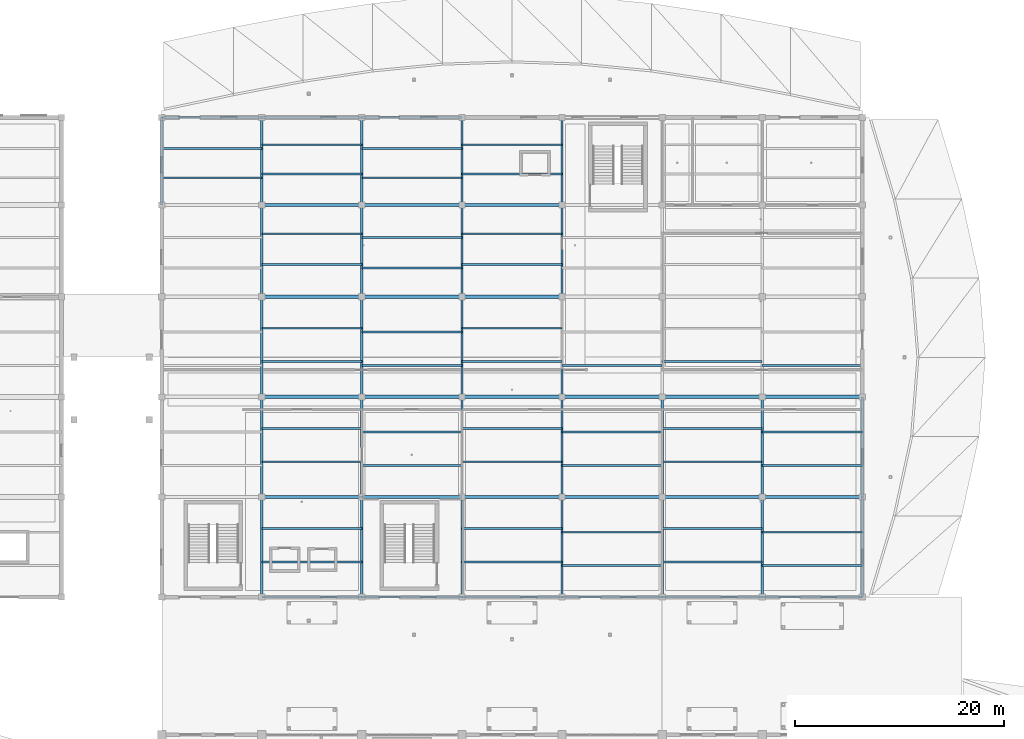
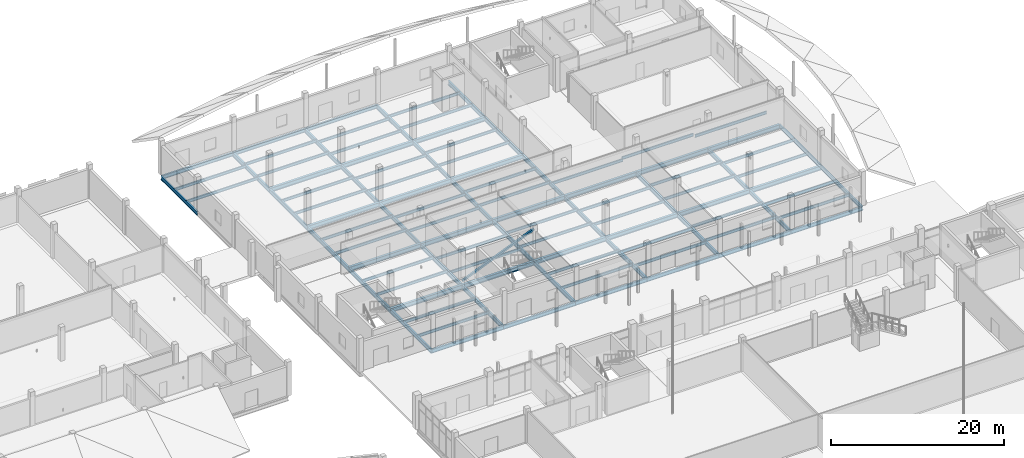
# One storey, part 56 of 116: 99 beams, 1 member.
"""IFC4 building model written with IfcOpenShell, lengths in metres."""

from ifc_helpers import new_model, si_unit, direction, frame, origin, origin_2d, place, context, subcontext, project, spatial, hollow_rectangle, i_section, extrude, material, material_profile, profile_set, type_object, element, save


model = new_model("IFC4")

# Units and contexts
model_context = context("Model", 3, precision=1e-05, world=origin(), true_north=direction((0.0, 1.0)))
body_context = subcontext(model_context, "Body", "Model", "MODEL_VIEW")
ifc_project = project(units=[si_unit("LENGTHUNIT", "METRE"), si_unit("AREAUNIT", "SQUARE_METRE"), si_unit("VOLUMEUNIT", "CUBIC_METRE"), si_unit("PLANEANGLEUNIT", "RADIAN"), si_unit("MASSUNIT", "GRAM", prefix="KILO")], contexts=[model_context])

# Site, building, storey
site_placement = place(None, origin())
site = spatial("IfcSite", under=ifc_project, at=site_placement, CompositionType="ELEMENT")
building_placement = place(site_placement, origin())
building = spatial("IfcBuilding", under=site, at=building_placement, Name="Chalmorin Arch Market", CompositionType="ELEMENT")
storey_placement = place(building_placement, origin())
storey = spatial("IfcBuildingStorey", under=building, at=storey_placement, Name="L00", CompositionType="ELEMENT", Elevation=0.0)

# Member
ifc_material_1 = material(Name="Steel A500 Grade C", Category="steel")
ifc_material_profile_1 = material_profile(ifc_material_1, hollow_rectangle(XDim=0.25390625, YDim=0.25390625, WallThickness=0.01171875, at=origin_2d()), Name="HSS10X10X1/2")
ifc_profile_set_1 = profile_set([ifc_material_profile_1], Name="Steel A500 Grade C")
member_type = type_object("IfcMemberType", Name="LateralTubeBrace-HSS10X10", PredefinedType="BRACE", material=ifc_profile_set_1)
member_placement = place(storey_placement, frame((67.199951171875, 81.60009765625, 0.14990234375), z_axis=(0.923078312116, 0.0, 0.384612050905), x_axis=(0.0, 1.0, 0.0)))
element("IfcMember", 1, at=member_placement, inside=storey, type_object=member_type, Name="BR-HS10-0342", ObjectType="Diagonal brace", PredefinedType="BRACE", context=body_context, shape_type="SweptSolid", body=[
    extrude(hollow_rectangle(XDim=0.25390625, YDim=0.25390625, WallThickness=0.01171875, at=origin_2d()), origin(), (0.0, 0.0, 1.0), 10.400146484375),
])

# Beams
ifc_material_2 = material(Name="Steel A992 Grade 50", Category="steel")
ifc_material_profile_2 = material_profile(ifc_material_2, i_section(OverallWidth=0.208984375, OverallDepth=0.532958984375, WebThickness=0.01025390625, FlangeThickness=0.015625, FilletRadius=0.02197265625, at=origin_2d()), Name="W21X62")
ifc_profile_set_2 = profile_set([ifc_material_profile_2], Name="Steel A992 Grade 50")
beam_type_1 = type_object("IfcBeamType", Name="PerimeterSpandrelBeam-W21X62", PredefinedType="SPANDREL", material=ifc_profile_set_2)
beam_1_placement = place(storey_placement, frame((48.0, 118.0, -0.58837890625), z_axis=(1.0, 0.0, 0.0), x_axis=(0.0, 1.0, 0.0)))
element("IfcBeam", 2, at=beam_1_placement, inside=storey, type_object=beam_type_1, Name="SP-W21-0388", PredefinedType="SPANDREL", context=body_context, shape_type="SweptSolid", body=[
    extrude(i_section(OverallWidth=0.208984375, OverallDepth=0.532958984375, WebThickness=0.01025390625, FlangeThickness=0.015625, FilletRadius=0.02197265625, at=origin_2d()), origin(), (0.0, 0.0, 1.0), 9.60009765625),
])
beam_2_placement = place(storey_placement, frame((48.0, 109.60009765625, -0.58837890625), z_axis=(0.0, 1.0, 0.0), x_axis=(-1.0, 0.0, 0.0)))
element("IfcBeam", 3, at=beam_2_placement, inside=storey, type_object=beam_type_1, Name="SP-W21-0389", PredefinedType="SPANDREL", context=body_context, shape_type="SweptSolid", body=[
    extrude(i_section(OverallWidth=0.208984375, OverallDepth=0.532958984375, WebThickness=0.01025390625, FlangeThickness=0.015625, FilletRadius=0.02197265625, at=origin_2d()), origin(), (0.0, 0.0, 1.0), 8.39990234375),
])
for number, where, z_axis, x_axis, name in (
    (4, (57.60009765625, 72.0, -0.58837890625), (1.0, 0.0, 0.0), (0.0, 1.0, 0.0), "SP-W21-0391"),
    (5, (57.60009765625, 118.0, -0.58837890625), (1.0, 0.0, 0.0), (0.0, 1.0, 0.0), "SP-W21-0400"),
):
    element("IfcBeam", number, at=place(storey_placement, frame(where, z_axis=z_axis, x_axis=x_axis)), inside=storey, type_object=beam_type_1, Name=name, PredefinedType="SPANDREL", context=body_context, shape_type="SweptSolid", body=[
        extrude(i_section(OverallWidth=0.208984375, OverallDepth=0.532958984375, WebThickness=0.01025390625, FlangeThickness=0.015625, FilletRadius=0.02197265625, at=origin_2d()), origin(), (0.0, 0.0, 1.0), 9.599853515625),
    ])
for number, where, z_axis, x_axis, name in (
    (6, (67.199951171875, 72.0, -0.58837890625), (1.0, 0.0, 0.0), (0.0, 1.0, 0.0), "SP-W21-0402"),
    (7, (67.199951171875, 118.0, -0.58837890625), (1.0, 0.0, 0.0), (0.0, 1.0, 0.0), "SP-W21-0411"),
):
    element("IfcBeam", number, at=place(storey_placement, frame(where, z_axis=z_axis, x_axis=x_axis)), inside=storey, type_object=beam_type_1, Name=name, PredefinedType="SPANDREL", context=body_context, shape_type="SweptSolid", body=[
        extrude(i_section(OverallWidth=0.208984375, OverallDepth=0.532958984375, WebThickness=0.01025390625, FlangeThickness=0.015625, FilletRadius=0.02197265625, at=origin_2d()), origin(), (0.0, 0.0, 1.0), 9.60009765625),
    ])
beam_3_placement = place(storey_placement, frame((76.800048828125, 72.0, -0.568603515625), z_axis=(1.0, 0.0, 0.0), x_axis=(0.0, 1.0, 0.0)))
element("IfcBeam", 8, at=beam_3_placement, inside=storey, type_object=beam_type_1, Name="SP-W21-0413", PredefinedType="SPANDREL", context=body_context, shape_type="SweptSolid", body=[
    extrude(i_section(OverallWidth=0.208984375, OverallDepth=0.532958984375, WebThickness=0.01025390625, FlangeThickness=0.015625, FilletRadius=0.02197265625, at=origin_2d()), origin(), (0.0, 0.0, 1.0), 9.599853515625),
])
for number, where, z_axis, x_axis, name in (
    (9, (86.39990234375, 72.0, -0.568603515625), (1.0, 0.0, 0.0), (0.0, 1.0, 0.0), "SP-W21-0424"),
    (10, (96.0, 72.0, -0.568603515625), (1.0, 0.0, 0.0), (0.0, 1.0, 0.0), "SP-W21-0435"),
):
    element("IfcBeam", number, at=place(storey_placement, frame(where, z_axis=z_axis, x_axis=x_axis)), inside=storey, type_object=beam_type_1, Name=name, PredefinedType="SPANDREL", context=body_context, shape_type="SweptSolid", body=[
        extrude(i_section(OverallWidth=0.208984375, OverallDepth=0.532958984375, WebThickness=0.01025390625, FlangeThickness=0.015625, FilletRadius=0.02197265625, at=origin_2d()), origin(), (0.0, 0.0, 1.0), 9.60009765625),
    ])
beam_4_placement = place(storey_placement, frame((105.60009765625, 72.0, -0.568603515625), z_axis=(1.0, 0.0, 0.0), x_axis=(0.0, 1.0, 0.0)))
element("IfcBeam", 11, at=beam_4_placement, inside=storey, type_object=beam_type_1, Name="SP-W21-0446", PredefinedType="SPANDREL", context=body_context, shape_type="SweptSolid", body=[
    extrude(i_section(OverallWidth=0.208984375, OverallDepth=0.532958984375, WebThickness=0.01025390625, FlangeThickness=0.015625, FilletRadius=0.02197265625, at=origin_2d()), origin(), (0.0, 0.0, 1.0), 9.599853515625),
])
beam_5_placement = place(storey_placement, frame((115.199951171875, 72.0, -0.568603515625), z_axis=(0.0, 1.0, 0.0), x_axis=(-1.0, 0.0, 0.0)))
element("IfcBeam", 12, at=beam_5_placement, inside=storey, type_object=beam_type_1, Name="SP-W21-0448", PredefinedType="SPANDREL", context=body_context, shape_type="SweptSolid", body=[
    extrude(i_section(OverallWidth=0.208984375, OverallDepth=0.532958984375, WebThickness=0.01025390625, FlangeThickness=0.015625, FilletRadius=0.02197265625, at=origin_2d()), origin(), (0.0, 0.0, 1.0), 9.60009765625),
])
beam_6_placement = place(storey_placement, frame((115.199951171875, 81.60009765625, -0.548583984375), z_axis=(0.0, 1.0, 0.0), x_axis=(-1.0, 0.0, 0.0)))
element("IfcBeam", 13, at=beam_6_placement, inside=storey, type_object=beam_type_1, Name="SP-W21-0450", PredefinedType="SPANDREL", context=body_context, shape_type="SweptSolid", body=[
    extrude(i_section(OverallWidth=0.208984375, OverallDepth=0.532958984375, WebThickness=0.01025390625, FlangeThickness=0.015625, FilletRadius=0.02197265625, at=origin_2d()), origin(), (0.0, 0.0, 1.0), 9.599853515625),
])
ifc_material_profile_3 = material_profile(ifc_material_2, i_section(OverallWidth=0.323974609375, OverallDepth=0.611083984375, WebThickness=0.0126953125, FlangeThickness=0.01904296875, FilletRadius=0.02392578125, at=origin_2d()), Name="W24X104")
ifc_profile_set_3 = profile_set([ifc_material_profile_3], Name="Steel A992 Grade 50")
beam_type_2 = type_object("IfcBeamType", Name="PrimarySteelGirder-W24X104", PredefinedType="BEAM", material=ifc_profile_set_3)
for number, where, z_axis, x_axis, name in (
    (14, (57.60009765625, 81.60009765625, -0.62744140625), (1.0, 0.0, 0.0), (0.0, 1.0, 0.0), "BG-W24A-0392"),
    (15, (57.60009765625, 91.199951171875, -0.62744140625), (1.0, 0.0, 0.0), (0.0, 1.0, 0.0), "BG-W24A-0394"),
    (16, (57.60009765625, 100.800048828125, -0.62744140625), (1.0, 0.0, 0.0), (0.0, 1.0, 0.0), "BG-W24A-0396"),
    (17, (57.60009765625, 109.60009765625, -0.62744140625), (1.0, 0.0, 0.0), (0.0, 1.0, 0.0), "BG-W24A-0398"),
):
    element("IfcBeam", number, at=place(storey_placement, frame(where, z_axis=z_axis, x_axis=x_axis)), inside=storey, type_object=beam_type_2, Name=name, PredefinedType="BEAM", context=body_context, shape_type="SweptSolid", body=[
        extrude(i_section(OverallWidth=0.323974609375, OverallDepth=0.611083984375, WebThickness=0.0126953125, FlangeThickness=0.01904296875, FilletRadius=0.02392578125, at=origin_2d()), origin(), (0.0, 0.0, 1.0), 9.599853515625),
    ])
for number, where, z_axis, x_axis, name in (
    (18, (67.199951171875, 81.60009765625, -0.62744140625), (1.0, 0.0, 0.0), (0.0, 1.0, 0.0), "BG-W24A-0403"),
    (19, (67.199951171875, 91.199951171875, -0.62744140625), (1.0, 0.0, 0.0), (0.0, 1.0, 0.0), "BG-W24A-0405"),
    (20, (67.199951171875, 100.800048828125, -0.62744140625), (1.0, 0.0, 0.0), (0.0, 1.0, 0.0), "BG-W24A-0407"),
    (21, (67.199951171875, 109.60009765625, -0.62744140625), (1.0, 0.0, 0.0), (0.0, 1.0, 0.0), "BG-W24A-0409"),
):
    element("IfcBeam", number, at=place(storey_placement, frame(where, z_axis=z_axis, x_axis=x_axis)), inside=storey, type_object=beam_type_2, Name=name, PredefinedType="BEAM", context=body_context, shape_type="SweptSolid", body=[
        extrude(i_section(OverallWidth=0.323974609375, OverallDepth=0.611083984375, WebThickness=0.0126953125, FlangeThickness=0.01904296875, FilletRadius=0.02392578125, at=origin_2d()), origin(), (0.0, 0.0, 1.0), 9.60009765625),
    ])
for number, where, z_axis, x_axis, name in (
    (22, (76.800048828125, 81.60009765625, -0.58740234375), (1.0, 0.0, 0.0), (0.0, 1.0, 0.0), "BG-W24A-0414"),
    (23, (76.800048828125, 91.199951171875, -0.58740234375), (1.0, 0.0, 0.0), (0.0, 1.0, 0.0), "BG-W24A-0416"),
    (24, (76.800048828125, 100.800048828125, -0.58740234375), (1.0, 0.0, 0.0), (0.0, 1.0, 0.0), "BG-W24A-0418"),
    (25, (76.800048828125, 109.60009765625, -0.58740234375), (1.0, 0.0, 0.0), (0.0, 1.0, 0.0), "BG-W24A-0420"),
):
    element("IfcBeam", number, at=place(storey_placement, frame(where, z_axis=z_axis, x_axis=x_axis)), inside=storey, type_object=beam_type_2, Name=name, PredefinedType="BEAM", context=body_context, shape_type="SweptSolid", body=[
        extrude(i_section(OverallWidth=0.323974609375, OverallDepth=0.611083984375, WebThickness=0.0126953125, FlangeThickness=0.01904296875, FilletRadius=0.02392578125, at=origin_2d()), origin(), (0.0, 0.0, 1.0), 9.599853515625),
    ])
for number, where, z_axis, x_axis, name in (
    (26, (86.39990234375, 81.60009765625, -0.58740234375), (1.0, 0.0, 0.0), (0.0, 1.0, 0.0), "BG-W24A-0425"),
    (27, (86.39990234375, 91.199951171875, -0.58740234375), (1.0, 0.0, 0.0), (0.0, 1.0, 0.0), "BG-W24A-0427"),
    (28, (96.0, 81.60009765625, -0.58740234375), (1.0, 0.0, 0.0), (0.0, 1.0, 0.0), "BG-W24A-0436"),
    (29, (96.0, 91.199951171875, -0.58740234375), (1.0, 0.0, 0.0), (0.0, 1.0, 0.0), "BG-W24A-0438"),
):
    element("IfcBeam", number, at=place(storey_placement, frame(where, z_axis=z_axis, x_axis=x_axis)), inside=storey, type_object=beam_type_2, Name=name, PredefinedType="BEAM", context=body_context, shape_type="SweptSolid", body=[
        extrude(i_section(OverallWidth=0.323974609375, OverallDepth=0.611083984375, WebThickness=0.0126953125, FlangeThickness=0.01904296875, FilletRadius=0.02392578125, at=origin_2d()), origin(), (0.0, 0.0, 1.0), 9.60009765625),
    ])
for number, where, z_axis, x_axis, name in (
    (30, (105.60009765625, 81.60009765625, -0.58740234375), (1.0, 0.0, 0.0), (0.0, 1.0, 0.0), "BG-W24A-0447"),
    (31, (105.60009765625, 91.199951171875, -0.58740234375), (1.0, 0.0, 0.0), (0.0, 1.0, 0.0), "BG-W24A-0449"),
):
    element("IfcBeam", number, at=place(storey_placement, frame(where, z_axis=z_axis, x_axis=x_axis)), inside=storey, type_object=beam_type_2, Name=name, PredefinedType="BEAM", context=body_context, shape_type="SweptSolid", body=[
        extrude(i_section(OverallWidth=0.323974609375, OverallDepth=0.611083984375, WebThickness=0.0126953125, FlangeThickness=0.01904296875, FilletRadius=0.02392578125, at=origin_2d()), origin(), (0.0, 0.0, 1.0), 9.599853515625),
    ])
ifc_material_profile_4 = material_profile(ifc_material_2, i_section(OverallWidth=0.22802734375, OverallDepth=0.60791015625, WebThickness=0.01123046875, FlangeThickness=0.017333984375, FilletRadius=0.02392578125, at=origin_2d()), Name="W24X76")
ifc_profile_set_4 = profile_set([ifc_material_profile_4], Name="Steel A992 Grade 50")
beam_type_3 = type_object("IfcBeamType", Name="PrimarySteelGirder-W24X76", PredefinedType="BEAM", material=ifc_profile_set_4)
beam_7_placement = place(storey_placement, frame((57.60009765625, 72.0, -0.6259765625), z_axis=(0.0, 1.0, 0.0), x_axis=(-1.0, 0.0, 0.0)))
element("IfcBeam", 32, at=beam_7_placement, inside=storey, type_object=beam_type_3, Name="BG-W24B-0378", PredefinedType="BEAM", context=body_context, shape_type="SweptSolid", body=[
    extrude(i_section(OverallWidth=0.22802734375, OverallDepth=0.60791015625, WebThickness=0.01123046875, FlangeThickness=0.017333984375, FilletRadius=0.02392578125, at=origin_2d()), origin(), (0.0, 0.0, 1.0), 9.60009765625),
])
beam_8_placement = place(storey_placement, frame((57.60009765625, 81.60009765625, -0.6259765625), z_axis=(0.0, 1.0, 0.0), x_axis=(-1.0, 0.0, 0.0)))
element("IfcBeam", 33, at=beam_8_placement, inside=storey, type_object=beam_type_3, Name="BG-W24B-0381", PredefinedType="BEAM", context=body_context, shape_type="SweptSolid", body=[
    extrude(i_section(OverallWidth=0.22802734375, OverallDepth=0.60791015625, WebThickness=0.01123046875, FlangeThickness=0.017333984375, FilletRadius=0.02392578125, at=origin_2d()), origin(), (0.0, 0.0, 1.0), 9.599853515625),
])
beam_9_placement = place(storey_placement, frame((57.60009765625, 91.199951171875, -0.6259765625), z_axis=(0.0, 1.0, 0.0), x_axis=(-1.0, 0.0, 0.0)))
element("IfcBeam", 34, at=beam_9_placement, inside=storey, type_object=beam_type_3, Name="BG-W24B-0384", PredefinedType="BEAM", context=body_context, shape_type="SweptSolid", body=[
    extrude(i_section(OverallWidth=0.22802734375, OverallDepth=0.60791015625, WebThickness=0.01123046875, FlangeThickness=0.017333984375, FilletRadius=0.02392578125, at=origin_2d()), origin(), (0.0, 0.0, 1.0), 9.60009765625),
])
beam_10_placement = place(storey_placement, frame((57.60009765625, 100.800048828125, -0.6259765625), z_axis=(0.0, 1.0, 0.0), x_axis=(-1.0, 0.0, 0.0)))
element("IfcBeam", 35, at=beam_10_placement, inside=storey, type_object=beam_type_3, Name="BG-W24B-0387", PredefinedType="BEAM", context=body_context, shape_type="SweptSolid", body=[
    extrude(i_section(OverallWidth=0.22802734375, OverallDepth=0.60791015625, WebThickness=0.01123046875, FlangeThickness=0.017333984375, FilletRadius=0.02392578125, at=origin_2d()), origin(), (0.0, 0.0, 1.0), 8.800048828125),
])
beam_11_placement = place(storey_placement, frame((57.60009765625, 109.60009765625, -0.6259765625), z_axis=(0.0, 1.0, 0.0), x_axis=(-1.0, 0.0, 0.0)))
element("IfcBeam", 36, at=beam_11_placement, inside=storey, type_object=beam_type_3, Name="BG-W24B-0390", PredefinedType="BEAM", context=body_context, shape_type="SweptSolid", body=[
    extrude(i_section(OverallWidth=0.22802734375, OverallDepth=0.60791015625, WebThickness=0.01123046875, FlangeThickness=0.017333984375, FilletRadius=0.02392578125, at=origin_2d()), origin(), (0.0, 0.0, 1.0), 8.39990234375),
])
beam_12_placement = place(storey_placement, frame((67.199951171875, 72.0, -0.6259765625), z_axis=(0.0, 1.0, 0.0), x_axis=(-1.0, 0.0, 0.0)))
element("IfcBeam", 37, at=beam_12_placement, inside=storey, type_object=beam_type_3, Name="BG-W24B-0393", PredefinedType="BEAM", context=body_context, shape_type="SweptSolid", body=[
    extrude(i_section(OverallWidth=0.22802734375, OverallDepth=0.60791015625, WebThickness=0.01123046875, FlangeThickness=0.017333984375, FilletRadius=0.02392578125, at=origin_2d()), origin(), (0.0, 0.0, 1.0), 9.60009765625),
])
beam_13_placement = place(storey_placement, frame((67.199951171875, 81.60009765625, -0.6259765625), z_axis=(0.0, 1.0, 0.0), x_axis=(-1.0, 0.0, 0.0)))
element("IfcBeam", 38, at=beam_13_placement, inside=storey, type_object=beam_type_3, Name="BG-W24B-0395", PredefinedType="BEAM", context=body_context, shape_type="SweptSolid", body=[
    extrude(i_section(OverallWidth=0.22802734375, OverallDepth=0.60791015625, WebThickness=0.01123046875, FlangeThickness=0.017333984375, FilletRadius=0.02392578125, at=origin_2d()), origin(), (0.0, 0.0, 1.0), 9.599853515625),
])
beam_14_placement = place(storey_placement, frame((67.199951171875, 91.199951171875, -0.6259765625), z_axis=(0.0, 1.0, 0.0), x_axis=(-1.0, 0.0, 0.0)))
element("IfcBeam", 39, at=beam_14_placement, inside=storey, type_object=beam_type_3, Name="BG-W24B-0397", PredefinedType="BEAM", context=body_context, shape_type="SweptSolid", body=[
    extrude(i_section(OverallWidth=0.22802734375, OverallDepth=0.60791015625, WebThickness=0.01123046875, FlangeThickness=0.017333984375, FilletRadius=0.02392578125, at=origin_2d()), origin(), (0.0, 0.0, 1.0), 9.60009765625),
])
beam_15_placement = place(storey_placement, frame((67.199951171875, 100.800048828125, -0.6259765625), z_axis=(0.0, 1.0, 0.0), x_axis=(-1.0, 0.0, 0.0)))
element("IfcBeam", 40, at=beam_15_placement, inside=storey, type_object=beam_type_3, Name="BG-W24B-0399", PredefinedType="BEAM", context=body_context, shape_type="SweptSolid", body=[
    extrude(i_section(OverallWidth=0.22802734375, OverallDepth=0.60791015625, WebThickness=0.01123046875, FlangeThickness=0.017333984375, FilletRadius=0.02392578125, at=origin_2d()), origin(), (0.0, 0.0, 1.0), 8.800048828125),
])
beam_16_placement = place(storey_placement, frame((67.199951171875, 109.60009765625, -0.6259765625), z_axis=(0.0, 1.0, 0.0), x_axis=(-1.0, 0.0, 0.0)))
element("IfcBeam", 41, at=beam_16_placement, inside=storey, type_object=beam_type_3, Name="BG-W24B-0401", PredefinedType="BEAM", context=body_context, shape_type="SweptSolid", body=[
    extrude(i_section(OverallWidth=0.22802734375, OverallDepth=0.60791015625, WebThickness=0.01123046875, FlangeThickness=0.017333984375, FilletRadius=0.02392578125, at=origin_2d()), origin(), (0.0, 0.0, 1.0), 8.39990234375),
])
beam_17_placement = place(storey_placement, frame((76.800048828125, 72.0, -0.60595703125), z_axis=(0.0, 1.0, 0.0), x_axis=(-1.0, 0.0, 0.0)))
element("IfcBeam", 42, at=beam_17_placement, inside=storey, type_object=beam_type_3, Name="BG-W24B-0404", PredefinedType="BEAM", context=body_context, shape_type="SweptSolid", body=[
    extrude(i_section(OverallWidth=0.22802734375, OverallDepth=0.60791015625, WebThickness=0.01123046875, FlangeThickness=0.017333984375, FilletRadius=0.02392578125, at=origin_2d()), origin(), (0.0, 0.0, 1.0), 9.60009765625),
])
beam_18_placement = place(storey_placement, frame((76.800048828125, 81.60009765625, -0.5859375), z_axis=(0.0, 1.0, 0.0), x_axis=(-1.0, 0.0, 0.0)))
element("IfcBeam", 43, at=beam_18_placement, inside=storey, type_object=beam_type_3, Name="BG-W24B-0406", PredefinedType="BEAM", context=body_context, shape_type="SweptSolid", body=[
    extrude(i_section(OverallWidth=0.22802734375, OverallDepth=0.60791015625, WebThickness=0.01123046875, FlangeThickness=0.017333984375, FilletRadius=0.02392578125, at=origin_2d()), origin(), (0.0, 0.0, 1.0), 9.599853515625),
])
beam_19_placement = place(storey_placement, frame((76.800048828125, 91.199951171875, -0.5859375), z_axis=(0.0, 1.0, 0.0), x_axis=(-1.0, 0.0, 0.0)))
element("IfcBeam", 44, at=beam_19_placement, inside=storey, type_object=beam_type_3, Name="BG-W24B-0408", PredefinedType="BEAM", context=body_context, shape_type="SweptSolid", body=[
    extrude(i_section(OverallWidth=0.22802734375, OverallDepth=0.60791015625, WebThickness=0.01123046875, FlangeThickness=0.017333984375, FilletRadius=0.02392578125, at=origin_2d()), origin(), (0.0, 0.0, 1.0), 9.60009765625),
])
beam_20_placement = place(storey_placement, frame((76.800048828125, 100.800048828125, -0.5859375), z_axis=(0.0, 1.0, 0.0), x_axis=(-1.0, 0.0, 0.0)))
element("IfcBeam", 45, at=beam_20_placement, inside=storey, type_object=beam_type_3, Name="BG-W24B-0410", PredefinedType="BEAM", context=body_context, shape_type="SweptSolid", body=[
    extrude(i_section(OverallWidth=0.22802734375, OverallDepth=0.60791015625, WebThickness=0.01123046875, FlangeThickness=0.017333984375, FilletRadius=0.02392578125, at=origin_2d()), origin(), (0.0, 0.0, 1.0), 8.800048828125),
])
beam_21_placement = place(storey_placement, frame((76.800048828125, 109.60009765625, -0.5859375), z_axis=(0.0, 1.0, 0.0), x_axis=(-1.0, 0.0, 0.0)))
element("IfcBeam", 46, at=beam_21_placement, inside=storey, type_object=beam_type_3, Name="BG-W24B-0412", PredefinedType="BEAM", context=body_context, shape_type="SweptSolid", body=[
    extrude(i_section(OverallWidth=0.22802734375, OverallDepth=0.60791015625, WebThickness=0.01123046875, FlangeThickness=0.017333984375, FilletRadius=0.02392578125, at=origin_2d()), origin(), (0.0, 0.0, 1.0), 8.39990234375),
])
beam_22_placement = place(storey_placement, frame((86.39990234375, 72.0, -0.60595703125), z_axis=(0.0, 1.0, 0.0), x_axis=(-1.0, 0.0, 0.0)))
element("IfcBeam", 47, at=beam_22_placement, inside=storey, type_object=beam_type_3, Name="BG-W24B-0415", PredefinedType="BEAM", context=body_context, shape_type="SweptSolid", body=[
    extrude(i_section(OverallWidth=0.22802734375, OverallDepth=0.60791015625, WebThickness=0.01123046875, FlangeThickness=0.017333984375, FilletRadius=0.02392578125, at=origin_2d()), origin(), (0.0, 0.0, 1.0), 9.60009765625),
])
beam_23_placement = place(storey_placement, frame((86.39990234375, 81.60009765625, -0.5859375), z_axis=(0.0, 1.0, 0.0), x_axis=(-1.0, 0.0, 0.0)))
element("IfcBeam", 48, at=beam_23_placement, inside=storey, type_object=beam_type_3, Name="BG-W24B-0417", PredefinedType="BEAM", context=body_context, shape_type="SweptSolid", body=[
    extrude(i_section(OverallWidth=0.22802734375, OverallDepth=0.60791015625, WebThickness=0.01123046875, FlangeThickness=0.017333984375, FilletRadius=0.02392578125, at=origin_2d()), origin(), (0.0, 0.0, 1.0), 9.599853515625),
])
beam_24_placement = place(storey_placement, frame((86.39990234375, 91.199951171875, -0.5859375), z_axis=(0.0, 1.0, 0.0), x_axis=(-1.0, 0.0, 0.0)))
element("IfcBeam", 49, at=beam_24_placement, inside=storey, type_object=beam_type_3, Name="BG-W24B-0419", PredefinedType="BEAM", context=body_context, shape_type="SweptSolid", body=[
    extrude(i_section(OverallWidth=0.22802734375, OverallDepth=0.60791015625, WebThickness=0.01123046875, FlangeThickness=0.017333984375, FilletRadius=0.02392578125, at=origin_2d()), origin(), (0.0, 0.0, 1.0), 9.60009765625),
])
beam_25_placement = place(storey_placement, frame((86.39990234375, 100.800048828125, -0.5859375), z_axis=(0.0, 1.0, 0.0), x_axis=(-1.0, 0.0, 0.0)))
element("IfcBeam", 50, at=beam_25_placement, inside=storey, type_object=beam_type_3, Name="BG-W24B-0421", PredefinedType="BEAM", context=body_context, shape_type="SweptSolid", body=[
    extrude(i_section(OverallWidth=0.22802734375, OverallDepth=0.60791015625, WebThickness=0.01123046875, FlangeThickness=0.017333984375, FilletRadius=0.02392578125, at=origin_2d()), origin(), (0.0, 0.0, 1.0), 8.800048828125),
])
beam_26_placement = place(storey_placement, frame((86.39990234375, 109.60009765625, -0.5859375), z_axis=(0.0, 1.0, 0.0), x_axis=(-1.0, 0.0, 0.0)))
element("IfcBeam", 51, at=beam_26_placement, inside=storey, type_object=beam_type_3, Name="BG-W24B-0423", PredefinedType="BEAM", context=body_context, shape_type="SweptSolid", body=[
    extrude(i_section(OverallWidth=0.22802734375, OverallDepth=0.60791015625, WebThickness=0.01123046875, FlangeThickness=0.017333984375, FilletRadius=0.02392578125, at=origin_2d()), origin(), (0.0, 0.0, 1.0), 8.39990234375),
])
beam_27_placement = place(storey_placement, frame((96.0, 72.0, -0.60595703125), z_axis=(0.0, 1.0, 0.0), x_axis=(-1.0, 0.0, 0.0)))
element("IfcBeam", 52, at=beam_27_placement, inside=storey, type_object=beam_type_3, Name="BG-W24B-0426", PredefinedType="BEAM", context=body_context, shape_type="SweptSolid", body=[
    extrude(i_section(OverallWidth=0.22802734375, OverallDepth=0.60791015625, WebThickness=0.01123046875, FlangeThickness=0.017333984375, FilletRadius=0.02392578125, at=origin_2d()), origin(), (0.0, 0.0, 1.0), 9.60009765625),
])
beam_28_placement = place(storey_placement, frame((96.0, 81.60009765625, -0.5859375), z_axis=(0.0, 1.0, 0.0), x_axis=(-1.0, 0.0, 0.0)))
element("IfcBeam", 53, at=beam_28_placement, inside=storey, type_object=beam_type_3, Name="BG-W24B-0428", PredefinedType="BEAM", context=body_context, shape_type="SweptSolid", body=[
    extrude(i_section(OverallWidth=0.22802734375, OverallDepth=0.60791015625, WebThickness=0.01123046875, FlangeThickness=0.017333984375, FilletRadius=0.02392578125, at=origin_2d()), origin(), (0.0, 0.0, 1.0), 9.599853515625),
])
beam_29_placement = place(storey_placement, frame((105.60009765625, 72.0, -0.60595703125), z_axis=(0.0, 1.0, 0.0), x_axis=(-1.0, 0.0, 0.0)))
element("IfcBeam", 54, at=beam_29_placement, inside=storey, type_object=beam_type_3, Name="BG-W24B-0437", PredefinedType="BEAM", context=body_context, shape_type="SweptSolid", body=[
    extrude(i_section(OverallWidth=0.22802734375, OverallDepth=0.60791015625, WebThickness=0.01123046875, FlangeThickness=0.017333984375, FilletRadius=0.02392578125, at=origin_2d()), origin(), (0.0, 0.0, 1.0), 9.60009765625),
])
beam_30_placement = place(storey_placement, frame((105.60009765625, 81.60009765625, -0.5859375), z_axis=(0.0, 1.0, 0.0), x_axis=(-1.0, 0.0, 0.0)))
element("IfcBeam", 55, at=beam_30_placement, inside=storey, type_object=beam_type_3, Name="BG-W24B-0439", PredefinedType="BEAM", context=body_context, shape_type="SweptSolid", body=[
    extrude(i_section(OverallWidth=0.22802734375, OverallDepth=0.60791015625, WebThickness=0.01123046875, FlangeThickness=0.017333984375, FilletRadius=0.02392578125, at=origin_2d()), origin(), (0.0, 0.0, 1.0), 9.599853515625),
])
ifc_material_profile_5 = material_profile(ifc_material_2, i_section(OverallWidth=0.177978515625, OverallDepth=0.403076171875, WebThickness=0.007568359375, FlangeThickness=0.010986328125, FilletRadius=0.01806640625, at=origin_2d()), Name="W16X36")
ifc_profile_set_5 = profile_set([ifc_material_profile_5], Name="Steel A992 Grade 50")
beam_type_4 = type_object("IfcBeamType", Name="SecondaryFloorJoist-W16X36", PredefinedType="JOIST", material=ifc_profile_set_5)
for number, where, z_axis, x_axis, name in (
    (56, (48.0, 112.219970703125, -0.5234375), (1.0, 0.0, 0.0), (0.0, 1.0, 0.0), "BJ-W16B-0463"),
    (57, (48.0, 115.02001953125, -0.5234375), (1.0, 0.0, 0.0), (0.0, 1.0, 0.0), "BJ-W16B-0464"),
):
    element("IfcBeam", number, at=place(storey_placement, frame(where, z_axis=z_axis, x_axis=x_axis)), inside=storey, type_object=beam_type_4, Name=name, PredefinedType="JOIST", context=body_context, shape_type="SweptSolid", body=[
        extrude(i_section(OverallWidth=0.177978515625, OverallDepth=0.403076171875, WebThickness=0.007568359375, FlangeThickness=0.010986328125, FilletRadius=0.01806640625, at=origin_2d()), origin(), (0.0, 0.0, 1.0), 9.60009765625),
    ])
for number, where, z_axis, x_axis, name in (
    (58, (57.60009765625, 75.3798828125, -0.5234375), (1.0, 0.0, 0.0), (0.0, 1.0, 0.0), "BJ-W16B-0465"),
    (59, (57.60009765625, 78.580078125, -0.5234375), (1.0, 0.0, 0.0), (0.0, 1.0, 0.0), "BJ-W16B-0466"),
    (60, (57.60009765625, 84.97998046875, -0.5234375), (1.0, 0.0, 0.0), (0.0, 1.0, 0.0), "BJ-W16B-0467"),
    (61, (57.60009765625, 88.179931640625, -0.5234375), (1.0, 0.0, 0.0), (0.0, 1.0, 0.0), "BJ-W16B-0468"),
    (62, (57.60009765625, 94.580078125, -0.5234375), (1.0, 0.0, 0.0), (0.0, 1.0, 0.0), "BJ-W16B-0469"),
    (63, (57.60009765625, 97.780029296875, -0.5234375), (1.0, 0.0, 0.0), (0.0, 1.0, 0.0), "BJ-W16B-0470"),
    (64, (57.60009765625, 103.913330078125, -0.5234375), (1.0, 0.0, 0.0), (0.0, 1.0, 0.0), "BJ-W16B-0471"),
    (65, (57.60009765625, 106.8466796875, -0.5234375), (1.0, 0.0, 0.0), (0.0, 1.0, 0.0), "BJ-W16B-0472"),
    (66, (57.60009765625, 112.580078125, -0.5234375), (1.0, 0.0, 0.0), (0.0, 1.0, 0.0), "BJ-W16B-0473"),
    (67, (57.60009765625, 115.3798828125, -0.5234375), (1.0, 0.0, 0.0), (0.0, 1.0, 0.0), "BJ-W16B-0474"),
):
    element("IfcBeam", number, at=place(storey_placement, frame(where, z_axis=z_axis, x_axis=x_axis)), inside=storey, type_object=beam_type_4, Name=name, PredefinedType="JOIST", context=body_context, shape_type="SweptSolid", body=[
        extrude(i_section(OverallWidth=0.177978515625, OverallDepth=0.403076171875, WebThickness=0.007568359375, FlangeThickness=0.010986328125, FilletRadius=0.01806640625, at=origin_2d()), origin(), (0.0, 0.0, 1.0), 9.599853515625),
    ])
for number, where, z_axis, x_axis, name in (
    (68, (67.199951171875, 84.6201171875, -0.5234375), (1.0, 0.0, 0.0), (0.0, 1.0, 0.0), "BJ-W16B-0475"),
    (69, (67.199951171875, 87.820068359375, -0.5234375), (1.0, 0.0, 0.0), (0.0, 1.0, 0.0), "BJ-W16B-0476"),
    (70, (67.199951171875, 94.219970703125, -0.5234375), (1.0, 0.0, 0.0), (0.0, 1.0, 0.0), "BJ-W16B-0477"),
    (71, (67.199951171875, 97.419921875, -0.5234375), (1.0, 0.0, 0.0), (0.0, 1.0, 0.0), "BJ-W16B-0478"),
    (72, (67.199951171875, 103.55322265625, -0.5234375), (1.0, 0.0, 0.0), (0.0, 1.0, 0.0), "BJ-W16B-0479"),
    (73, (67.199951171875, 106.48681640625, -0.5234375), (1.0, 0.0, 0.0), (0.0, 1.0, 0.0), "BJ-W16B-0480"),
    (74, (67.199951171875, 112.219970703125, -0.5234375), (1.0, 0.0, 0.0), (0.0, 1.0, 0.0), "BJ-W16B-0481"),
    (75, (67.199951171875, 115.02001953125, -0.5234375), (1.0, 0.0, 0.0), (0.0, 1.0, 0.0), "BJ-W16B-0482"),
):
    element("IfcBeam", number, at=place(storey_placement, frame(where, z_axis=z_axis, x_axis=x_axis)), inside=storey, type_object=beam_type_4, Name=name, PredefinedType="JOIST", context=body_context, shape_type="SweptSolid", body=[
        extrude(i_section(OverallWidth=0.177978515625, OverallDepth=0.403076171875, WebThickness=0.007568359375, FlangeThickness=0.010986328125, FilletRadius=0.01806640625, at=origin_2d()), origin(), (0.0, 0.0, 1.0), 9.60009765625),
    ])
for number, where, z_axis, x_axis, name in (
    (76, (76.800048828125, 75.3798828125, -0.4833984375), (1.0, 0.0, 0.0), (0.0, 1.0, 0.0), "BJ-W16B-0483"),
    (77, (76.800048828125, 78.580078125, -0.4833984375), (1.0, 0.0, 0.0), (0.0, 1.0, 0.0), "BJ-W16B-0484"),
    (78, (76.800048828125, 84.97998046875, -0.4833984375), (1.0, 0.0, 0.0), (0.0, 1.0, 0.0), "BJ-W16B-0485"),
    (79, (76.800048828125, 88.179931640625, -0.4833984375), (1.0, 0.0, 0.0), (0.0, 1.0, 0.0), "BJ-W16B-0486"),
    (80, (76.800048828125, 94.580078125, -0.4833984375), (1.0, 0.0, 0.0), (0.0, 1.0, 0.0), "BJ-W16B-0487"),
    (81, (76.800048828125, 97.780029296875, -0.4833984375), (1.0, 0.0, 0.0), (0.0, 1.0, 0.0), "BJ-W16B-0488"),
    (82, (76.800048828125, 103.913330078125, -0.4833984375), (1.0, 0.0, 0.0), (0.0, 1.0, 0.0), "BJ-W16B-0489"),
    (83, (76.800048828125, 106.8466796875, -0.4833984375), (1.0, 0.0, 0.0), (0.0, 1.0, 0.0), "BJ-W16B-0490"),
    (84, (76.800048828125, 112.580078125, -0.4833984375), (1.0, 0.0, 0.0), (0.0, 1.0, 0.0), "BJ-W16B-0491"),
    (85, (76.800048828125, 115.3798828125, -0.4833984375), (1.0, 0.0, 0.0), (0.0, 1.0, 0.0), "BJ-W16B-0492"),
):
    element("IfcBeam", number, at=place(storey_placement, frame(where, z_axis=z_axis, x_axis=x_axis)), inside=storey, type_object=beam_type_4, Name=name, PredefinedType="JOIST", context=body_context, shape_type="SweptSolid", body=[
        extrude(i_section(OverallWidth=0.177978515625, OverallDepth=0.403076171875, WebThickness=0.007568359375, FlangeThickness=0.010986328125, FilletRadius=0.01806640625, at=origin_2d()), origin(), (0.0, 0.0, 1.0), 9.599853515625),
    ])
for number, where, z_axis, x_axis, name in (
    (86, (86.39990234375, 75.02001953125, -0.4833984375), (1.0, 0.0, 0.0), (0.0, 1.0, 0.0), "BJ-W16B-0493"),
    (87, (86.39990234375, 78.219970703125, -0.4833984375), (1.0, 0.0, 0.0), (0.0, 1.0, 0.0), "BJ-W16B-0494"),
    (88, (86.39990234375, 84.6201171875, -0.4833984375), (1.0, 0.0, 0.0), (0.0, 1.0, 0.0), "BJ-W16B-0495"),
    (89, (86.39990234375, 87.820068359375, -0.4833984375), (1.0, 0.0, 0.0), (0.0, 1.0, 0.0), "BJ-W16B-0496"),
    (90, (86.39990234375, 94.219970703125, -0.4833984375), (1.0, 0.0, 0.0), (0.0, 1.0, 0.0), "BJ-W16B-0497"),
    (91, (96.0, 75.3798828125, -0.4833984375), (1.0, 0.0, 0.0), (0.0, 1.0, 0.0), "BJ-W16B-0501"),
    (92, (96.0, 78.580078125, -0.4833984375), (1.0, 0.0, 0.0), (0.0, 1.0, 0.0), "BJ-W16B-0502"),
    (93, (96.0, 84.97998046875, -0.4833984375), (1.0, 0.0, 0.0), (0.0, 1.0, 0.0), "BJ-W16B-0503"),
    (94, (96.0, 88.179931640625, -0.4833984375), (1.0, 0.0, 0.0), (0.0, 1.0, 0.0), "BJ-W16B-0504"),
    (95, (96.0, 94.580078125, -0.4833984375), (1.0, 0.0, 0.0), (0.0, 1.0, 0.0), "BJ-W16B-0505"),
):
    element("IfcBeam", number, at=place(storey_placement, frame(where, z_axis=z_axis, x_axis=x_axis)), inside=storey, type_object=beam_type_4, Name=name, PredefinedType="JOIST", context=body_context, shape_type="SweptSolid", body=[
        extrude(i_section(OverallWidth=0.177978515625, OverallDepth=0.403076171875, WebThickness=0.007568359375, FlangeThickness=0.010986328125, FilletRadius=0.01806640625, at=origin_2d()), origin(), (0.0, 0.0, 1.0), 9.60009765625),
    ])
for number, where, z_axis, x_axis, name in (
    (96, (105.60009765625, 75.02001953125, -0.4833984375), (1.0, 0.0, 0.0), (0.0, 1.0, 0.0), "BJ-W16B-0511"),
    (97, (105.60009765625, 78.219970703125, -0.4833984375), (1.0, 0.0, 0.0), (0.0, 1.0, 0.0), "BJ-W16B-0512"),
    (98, (105.60009765625, 84.6201171875, -0.4833984375), (1.0, 0.0, 0.0), (0.0, 1.0, 0.0), "BJ-W16B-0513"),
    (99, (105.60009765625, 87.820068359375, -0.4833984375), (1.0, 0.0, 0.0), (0.0, 1.0, 0.0), "BJ-W16B-0514"),
    (100, (105.60009765625, 94.219970703125, -0.4833984375), (1.0, 0.0, 0.0), (0.0, 1.0, 0.0), "BJ-W16B-0515"),
):
    element("IfcBeam", number, at=place(storey_placement, frame(where, z_axis=z_axis, x_axis=x_axis)), inside=storey, type_object=beam_type_4, Name=name, PredefinedType="JOIST", context=body_context, shape_type="SweptSolid", body=[
        extrude(i_section(OverallWidth=0.177978515625, OverallDepth=0.403076171875, WebThickness=0.007568359375, FlangeThickness=0.010986328125, FilletRadius=0.01806640625, at=origin_2d()), origin(), (0.0, 0.0, 1.0), 9.599853515625),
    ])

save(model, "model.ifc")
